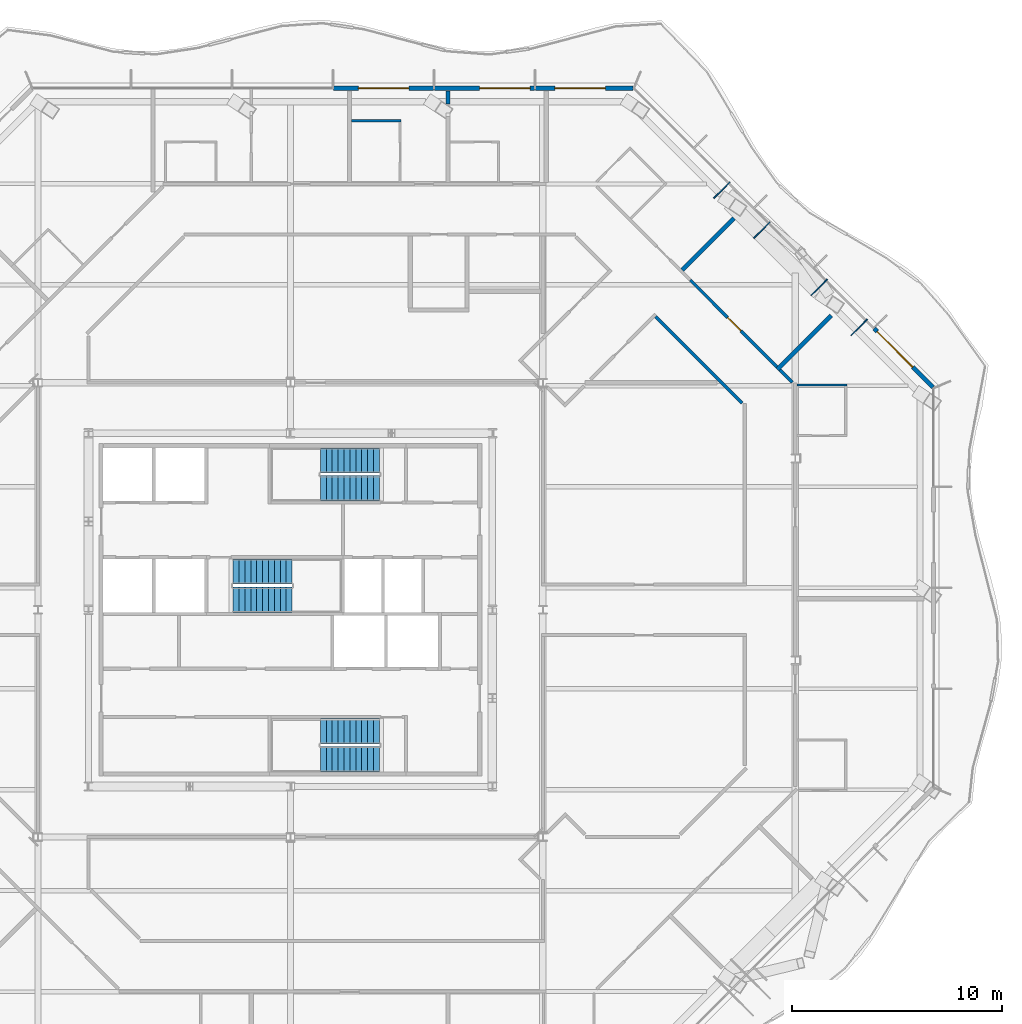
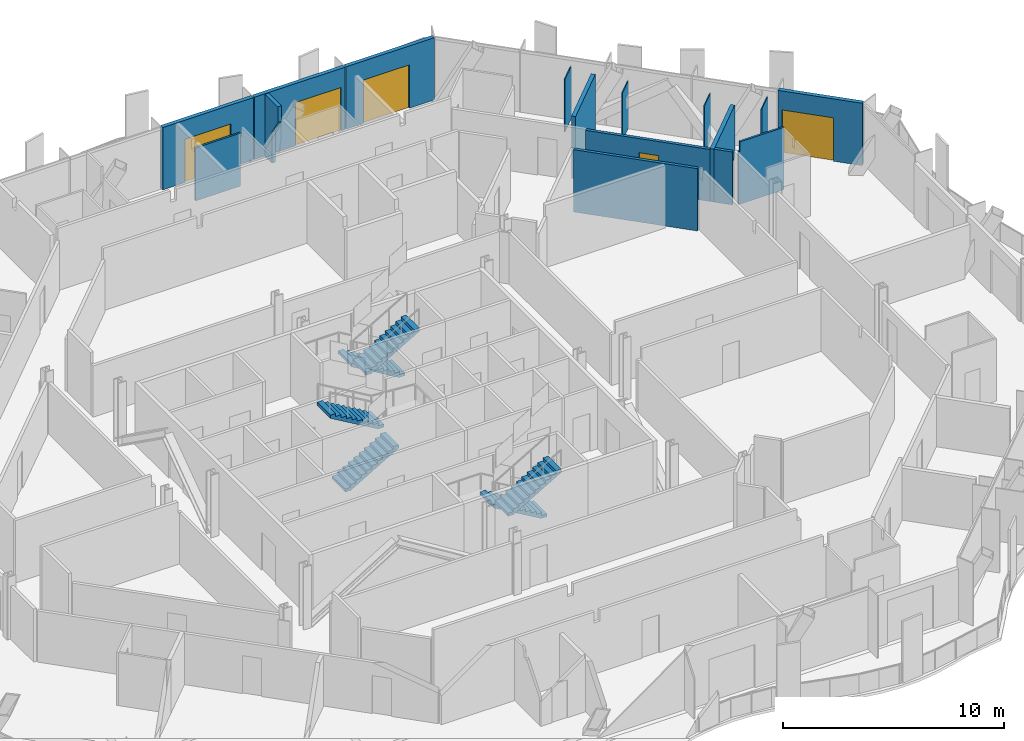
# One storey, part 13 of 21: 16 walls, 6 stair flights, 5 doors, 5 openings, 3 elements without a shape of their own.
"""IFC4 building model written with IfcOpenShell, lengths in metres."""

import ifcopenshell
import ifcopenshell.guid

model = None  # the IFC model being written
_history = None  # IfcOwnerHistory: only IFC2X3 demands one
_inside = {}  # id of a spatial element -> (the spatial element, [elements in it])
_under = {}  # id of a project, library or spatial element -> (it, [spatial elements below it])
_declared = {}  # id of a project -> (the project, [libraries it declares])
_typed = {}  # id of a type object -> (the type object, [elements of that type])
_made_of = {}  # id of a material, layer set ... -> (it, [elements and type objects made of it])


def new_model(schema):
    """Start an empty IFC model of exactly this schema.

    Asked for "IFC4X3", IfcOpenShell would pick the latest addendum, in which some entities
    have other attributes; the version numbers below select the first issue.
    IFC2X3 requires an IfcOwnerHistory on every rooted entity: one is made here for all.
    """
    global model, _history
    if schema == "IFC4X3":
        model = ifcopenshell.file(schema_version=(4, 3, 0, 0))
    else:
        model = ifcopenshell.file(schema=schema)
    _inside.clear()
    _under.clear()
    _declared.clear()
    _typed.clear()
    _made_of.clear()
    _history = None
    if model.schema == "IFC2X3":
        org = make("IfcOrganization", Name="unknown")
        user = make(
            "IfcPersonAndOrganization",
            ThePerson=make("IfcPerson", FamilyName="unknown"),
            TheOrganization=org,
        )
        app = make(
            "IfcApplication",
            ApplicationDeveloper=org,
            Version="unknown",
            ApplicationFullName="unknown",
            ApplicationIdentifier="unknown",
        )
        _history = make(
            "IfcOwnerHistory",
            OwningUser=user,
            OwningApplication=app,
            ChangeAction="ADDED",
            CreationDate=0,
        )
    return model


def make(cls, **values):
    """One entity of the class cls with the attributes given. An attribute that is None is left unset."""
    return model.create_entity(
        cls, **{name: value for name, value in values.items() if value is not None}
    )


def rooted(cls, **values):
    """An entity with a GlobalId (a new one), such as an element, a storey or a relation."""
    return make(cls, GlobalId=ifcopenshell.guid.new(), OwnerHistory=_history, **values)


def si_unit(unit_type, name, prefix=None):
    """IfcSIUnit, for example si_unit("LENGTHUNIT", "METRE", prefix="MILLI")."""
    return make("IfcSIUnit", UnitType=unit_type, Prefix=prefix, Name=name)


def assignment(units):
    """IfcUnitAssignment: the units of a project."""
    return None if units is None else make("IfcUnitAssignment", Units=units)


def point(xyz):
    """IfcCartesianPoint."""
    return None if xyz is None else make("IfcCartesianPoint", Coordinates=xyz)


def direction(xyz):
    """IfcDirection."""
    return None if xyz is None else make("IfcDirection", DirectionRatios=xyz)


def frame(location, z_axis=None, x_axis=None):
    """IfcAxis2Placement3D, a coordinate frame: its origin and axes. An axis left out is left unset."""
    return make(
        "IfcAxis2Placement3D",
        Location=point(location),
        Axis=direction(z_axis),
        RefDirection=direction(x_axis),
    )


def frame_2d(location, x_axis=None):
    """IfcAxis2Placement2D, a coordinate frame in the plane: its origin and x axis."""
    return make(
        "IfcAxis2Placement2D", Location=point(location), RefDirection=direction(x_axis)
    )


def origin():
    """The frame at (0, 0, 0) with its axes left unset."""
    return frame((0.0, 0.0, 0.0))


def place(relative_to, where):
    """IfcLocalPlacement: puts the frame where relative to a parent placement (None: the world)."""
    return make(
        "IfcLocalPlacement", PlacementRelTo=relative_to, RelativePlacement=where
    )


def context(
    kind, dimensions, precision=None, world=None, true_north=None, identifier=None
):
    """IfcGeometricRepresentationContext, for example the 3D "Model" context."""
    return make(
        "IfcGeometricRepresentationContext",
        ContextIdentifier=identifier,
        ContextType=kind,
        CoordinateSpaceDimension=dimensions,
        Precision=precision,
        WorldCoordinateSystem=world,
        TrueNorth=true_north,
    )


def subcontext(parent, identifier, kind, view, scale=None):
    """IfcGeometricRepresentationSubContext, for example "Body" below "Model"."""
    return make(
        "IfcGeometricRepresentationSubContext",
        ContextIdentifier=identifier,
        ContextType=kind,
        ParentContext=parent,
        TargetScale=scale,
        TargetView=view,
    )


def project(units=None, contexts=None):
    """IfcProject with its units and contexts."""
    return rooted(
        "IfcProject",
        Name="project",
        RepresentationContexts=contexts,
        UnitsInContext=assignment(units),
    )


def spatial(cls, under=None, at=None, **own):
    """A site, building, storey or space (cls), placed at a placement, below another one or the project."""
    s = rooted(cls, ObjectPlacement=at, **own)
    if under is not None:
        _under.setdefault(under.id(), (under, []))[1].append(s)
    return s


def polyline(points):
    """IfcPolyline through the points."""
    return make("IfcPolyline", Points=[point(p) for p in points])


def profile(cls, at=None, kind="AREA", **sizes):
    """A parametric profile (cls). Its sizes go by their IFC names, for example OverallWidth=200.0."""
    return make(cls, ProfileType=kind, Position=at, **sizes)


def rectangle(**sizes):
    """IfcRectangleProfileDef."""
    return profile("IfcRectangleProfileDef", **sizes)


def outline(outer, holes=None, kind="AREA"):
    """IfcArbitraryClosedProfileDef: a profile drawn as a closed curve; with holes, ...WithVoids."""
    if holes is None:
        return make("IfcArbitraryClosedProfileDef", ProfileType=kind, OuterCurve=outer)
    return make(
        "IfcArbitraryProfileDefWithVoids",
        ProfileType=kind,
        OuterCurve=outer,
        InnerCurves=holes,
    )


def extrude(swept, where, along, depth):
    """IfcExtrudedAreaSolid: the profile swept, set in the frame where, extruded along a direction by depth."""
    return make(
        "IfcExtrudedAreaSolid",
        SweptArea=swept,
        Position=where,
        ExtrudedDirection=direction(along),
        Depth=depth,
    )


def shape(context_of_items, identifier, shape_type, items):
    """IfcShapeRepresentation: the items that make up one representation, for example the "Body"."""
    return make(
        "IfcShapeRepresentation",
        ContextOfItems=context_of_items,
        RepresentationIdentifier=identifier,
        RepresentationType=shape_type,
        Items=items,
    )


def material(Name=None, Category=None):
    """IfcMaterial."""
    return make("IfcMaterial", Name=Name, Category=Category)


def layer(
    of_material, thickness, ventilated=None, Name=None, Category=None, Priority=None
):
    """IfcMaterialLayer: one layer of a wall or slab, of a material (None: an air gap)."""
    return make(
        "IfcMaterialLayer",
        Material=of_material,
        LayerThickness=thickness,
        IsVentilated=ventilated,
        Name=Name,
        Category=Category,
        Priority=Priority,
    )


def layer_set(layers, Name=None):
    """IfcMaterialLayerSet."""
    return make("IfcMaterialLayerSet", MaterialLayers=layers, LayerSetName=Name)


def made_of(thing, what):
    """Note that an element or type object is made of a material, layer set ...; save() writes the relation."""
    if what is not None:
        _made_of.setdefault(what.id(), (what, []))[1].append(thing)
    return thing


def type_object(cls, material=None, **own):
    """A type object (cls), such as IfcWallType, which elements share."""
    return made_of(rooted(cls, **own), material)


def element(
    cls,
    number,
    at=None,
    inside=None,
    cuts=None,
    type_object=None,
    material=None,
    context=None,
    identifier="Body",
    shape_type=None,
    held_by="IfcProductDefinitionShape",
    body=None,
    shapes=None,
    **own,
):
    """One element of the class cls, such as IfcWall. Its Tag is "e" and its number.

    at: its placement. inside: the storey or other place that contains it. cuts: it is an
    opening in that element (IfcRelVoidsElement). A single representation is given by context,
    identifier, shape_type and body (its items); several are given by shapes. held_by: the class
    of the entity that holds the representations. save() writes the other relations.
    """
    e = rooted(cls, Tag="e%d" % number, ObjectPlacement=at, **own)
    if body is not None:
        shapes = [shape(context, identifier, shape_type, body)]
    if shapes is not None:
        e.Representation = make(held_by, Representations=shapes)
    if inside is not None:
        _inside.setdefault(inside.id(), (inside, []))[1].append(e)
    if cuts is not None:
        rooted(
            "IfcRelVoidsElement", RelatingBuildingElement=cuts, RelatedOpeningElement=e
        )
    if type_object is not None:
        _typed.setdefault(type_object.id(), (type_object, []))[1].append(e)
    return made_of(e, material)


def fill(opening, filler):
    """IfcRelFillsElement: the door or window that sits in an opening."""
    return rooted(
        "IfcRelFillsElement",
        RelatingOpeningElement=opening,
        RelatedBuildingElement=filler,
    )


def aggregate(whole, parts):
    """IfcRelAggregates: a whole, such as a stair, and the parts it consists of."""
    return rooted("IfcRelAggregates", RelatingObject=whole, RelatedObjects=parts)


def save(model, path):
    """Write the relations noted so far, then the file.

    IfcRelAggregates (storeys below a building ...), IfcRelContainedInSpatialStructure (elements
    in a storey), IfcRelDefinesByType, IfcRelAssociatesMaterial and IfcRelDeclares: one each for
    every whole, place, type object, material and project.
    """
    for whole, parts in _under.values():
        aggregate(whole, parts)
    for where, things in _inside.values():
        rooted(
            "IfcRelContainedInSpatialStructure",
            RelatedElements=things,
            RelatingStructure=where,
        )
    for kind, things in _typed.values():
        rooted("IfcRelDefinesByType", RelatedObjects=things, RelatingType=kind)
    for what, things in _made_of.values():
        rooted("IfcRelAssociatesMaterial", RelatedObjects=things, RelatingMaterial=what)
    for by, libraries in _declared.values():
        rooted("IfcRelDeclares", RelatingContext=by, RelatedDefinitions=libraries)
    model.write(path)


model = new_model("IFC4")

# Units and contexts
model_context = context("Model", 3, precision=1e-05, world=origin(), true_north=direction((0.0, 1.0)))
body_context = subcontext(model_context, "Body", "Model", "MODEL_VIEW")
ifc_project = project(units=[si_unit("LENGTHUNIT", "METRE"), si_unit("AREAUNIT", "SQUARE_METRE"), si_unit("VOLUMEUNIT", "CUBIC_METRE"), si_unit("PLANEANGLEUNIT", "RADIAN"), si_unit("MASSUNIT", "GRAM", prefix="KILO")], contexts=[model_context])

# Site, building, storey
site_placement = place(None, origin())
site = spatial("IfcSite", under=ifc_project, at=site_placement, CompositionType="ELEMENT")
building_placement = place(site_placement, origin())
building = spatial("IfcBuilding", under=site, at=building_placement, Name="Cairn Pilgrim Tower", CompositionType="ELEMENT")
storey_placement = place(building_placement, frame((0.0, 0.0, 183.0)))
storey = spatial("IfcBuildingStorey", under=building, at=storey_placement, Name="L46", CompositionType="ELEMENT", Elevation=183.0)

# Wall, opening, door
ifc_material_1 = material(Name="Bronze anodised aluminium insulated sandwich panel with mineral wool fill", Category="aluminium")
ifc_layer_1 = layer(ifc_material_1, 0.199951171875)
ifc_layer_set_1 = layer_set([ifc_layer_1], Name="BRONZE INFILL FRAME WALL 200")
wall_type_1 = type_object("IfcWallType", Name="BRONZE INFILL FRAME WALL 200", PredefinedType="NOTDEFINED", material=ifc_layer_set_1)
wall_1_placement = place(storey_placement, frame((37.746826171875, 12.974609375, 0.0), z_axis=(0.0, 0.0, 1.0), x_axis=(-0.707106781187, 0.707106781187, 0.0)))
wall_1 = element("IfcWall", 1, at=wall_1_placement, inside=storey, type_object=wall_type_1, Name="Bronze infill frame wall IW-NE1", PredefinedType="NOTDEFINED", context=body_context, shape_type="SweptSolid", body=[
    extrude(rectangle(XDim=3.961669921875, YDim=0.199951171875, at=frame_2d((1.98095703125, 0.0))), origin(), (0.0, 0.0, 1.0), 3.449951171875),
])
opening_1_placement = place(wall_1_placement, frame((1.361572265625, 0.0, 0.0)))
opening_1 = element("IfcOpeningElement", 2, at=opening_1_placement, cuts=wall_1, Name="Opening 4605B2", PredefinedType="OPENING", context=body_context, shape_type="SweptSolid", body=[
    extrude(rectangle(XDim=2.39990234375, YDim=2.39990234375, at=frame_2d((1.199951171875, 1.199951171875))), frame((0.0, 0.10986328125, 0.0), z_axis=(0.0, -1.0, 0.0), x_axis=(1.0, 0.0, 0.0)), (0.0, 0.0, 1.0), 0.219970703125),
])
ifc_material_2 = material(Name="Bronze anodised aluminium frame with tinted low-E glass", Category="aluminium")
door_type_1 = type_object("IfcDoorType", Name="BALCONY SLIDING DOOR 2400x2400", OperationType="DOUBLE_DOOR_SLIDING", PredefinedType="DOOR", material=ifc_material_2)
door_1_placement = place(opening_1_placement, origin())
door_1 = element("IfcDoor", 3, at=door_1_placement, inside=storey, type_object=door_type_1, Name="Balcony sliding door 4605B2", OperationType="SINGLE_SWING_LEFT", OverallHeight=2.39990234375, OverallWidth=2.39990234375, PredefinedType="DOOR", context=body_context, shape_type="SweptSolid", body=[
    extrude(rectangle(XDim=2.39990234375, YDim=2.39990234375, at=frame_2d((1.199951171875, 1.199951171875))), frame((0.0, 0.02490234375, 0.0), z_axis=(0.0, -1.0, 0.0), x_axis=(1.0, 0.0, 0.0)), (0.0, 0.0, 1.0), 0.050048828125),
])
fill(opening_1, door_1)

wall_2_placement = place(storey_placement, frame((23.4814453125, 27.199951171875, 0.0), z_axis=(0.0, 0.0, 1.0), x_axis=(-1.0, 0.0, 0.0)))
wall_2 = element("IfcWall", 4, at=wall_2_placement, inside=storey, type_object=wall_type_1, Name="Bronze infill frame wall IW-N1", PredefinedType="NOTDEFINED", context=body_context, shape_type="SweptSolid", body=[
    extrude(rectangle(XDim=4.62646484375, YDim=0.199951171875, at=frame_2d((2.313232421875, 0.0))), origin(), (0.0, 0.0, 1.0), 3.449951171875),
])
opening_2_placement = place(wall_2_placement, frame((1.308349609375, 0.0, 0.0)))
opening_2 = element("IfcOpeningElement", 5, at=opening_2_placement, cuts=wall_2, Name="Opening 4607B", PredefinedType="OPENING", context=body_context, shape_type="SweptSolid", body=[
    extrude(rectangle(XDim=2.39990234375, YDim=2.39990234375, at=frame_2d((1.199951171875, 1.199951171875))), frame((0.0, 0.10986328125, 0.0), z_axis=(0.0, -1.0, 0.0), x_axis=(1.0, 0.0, 0.0)), (0.0, 0.0, 1.0), 0.219970703125),
])
door_2_placement = place(opening_2_placement, origin())
door_2 = element("IfcDoor", 6, at=door_2_placement, inside=storey, type_object=door_type_1, Name="Balcony sliding door 4607B", OperationType="SINGLE_SWING_LEFT", OverallHeight=2.39990234375, OverallWidth=2.39990234375, PredefinedType="DOOR", context=body_context, shape_type="SweptSolid", body=[
    extrude(rectangle(XDim=2.39990234375, YDim=2.39990234375, at=frame_2d((1.199951171875, 1.199951171875))), frame((0.0, 0.02490234375, 0.0), z_axis=(0.0, -1.0, 0.0), x_axis=(1.0, 0.0, 0.0)), (0.0, 0.0, 1.0), 0.050048828125),
])
fill(opening_2, door_2)

wall_3_placement = place(storey_placement, frame((18.794921875, 27.199951171875, 0.0), z_axis=(0.0, 0.0, 1.0), x_axis=(-1.0, 0.0, 0.0)))
wall_3 = element("IfcWall", 7, at=wall_3_placement, inside=storey, type_object=wall_type_1, Name="Bronze infill frame wall IW-N2", PredefinedType="NOTDEFINED", context=body_context, shape_type="SweptSolid", body=[
    extrude(rectangle(XDim=4.739990234375, YDim=0.199951171875, at=frame_2d((2.3701171875, 0.0))), origin(), (0.0, 0.0, 1.0), 3.449951171875),
])
opening_3_placement = place(wall_3_placement, frame((0.199951171875, 0.0, 0.0)))
opening_3 = element("IfcOpeningElement", 8, at=opening_3_placement, cuts=wall_3, Name="Opening 4608B", PredefinedType="OPENING", context=body_context, shape_type="SweptSolid", body=[
    extrude(rectangle(XDim=2.39990234375, YDim=2.39990234375, at=frame_2d((1.199951171875, 1.199951171875))), frame((0.0, 0.10986328125, 0.0), z_axis=(0.0, -1.0, 0.0), x_axis=(1.0, 0.0, 0.0)), (0.0, 0.0, 1.0), 0.219970703125),
])
door_3_placement = place(opening_3_placement, origin())
door_3 = element("IfcDoor", 9, at=door_3_placement, inside=storey, type_object=door_type_1, Name="Balcony sliding door 4608B", OperationType="SINGLE_SWING_LEFT", OverallHeight=2.39990234375, OverallWidth=2.39990234375, PredefinedType="DOOR", context=body_context, shape_type="SweptSolid", body=[
    extrude(rectangle(XDim=2.39990234375, YDim=2.39990234375, at=frame_2d((1.199951171875, 1.199951171875))), frame((0.0, 0.02490234375, 0.0), z_axis=(0.0, -1.0, 0.0), x_axis=(1.0, 0.0, 0.0)), (0.0, 0.0, 1.0), 0.050048828125),
])
fill(opening_3, door_3)

wall_4_placement = place(storey_placement, frame((13.9951171875, 27.199951171875, 0.0), z_axis=(0.0, 0.0, 1.0), x_axis=(-1.0, 0.0, 0.0)))
wall_4 = element("IfcWall", 10, at=wall_4_placement, inside=storey, type_object=wall_type_1, Name="Bronze infill frame wall IW-N3", PredefinedType="NOTDEFINED", context=body_context, shape_type="SweptSolid", body=[
    extrude(rectangle(XDim=4.740234375, YDim=0.199951171875, at=frame_2d((2.3701171875, 0.0))), origin(), (0.0, 0.0, 1.0), 3.449951171875),
])
opening_4_placement = place(wall_4_placement, frame((1.169921875, 0.0, 0.0)))
opening_4 = element("IfcOpeningElement", 11, at=opening_4_placement, cuts=wall_4, Name="Opening 4609B", PredefinedType="OPENING", context=body_context, shape_type="SweptSolid", body=[
    extrude(rectangle(XDim=2.39990234375, YDim=2.39990234375, at=frame_2d((1.199951171875, 1.199951171875))), frame((0.0, 0.10986328125, 0.0), z_axis=(0.0, -1.0, 0.0), x_axis=(1.0, 0.0, 0.0)), (0.0, 0.0, 1.0), 0.219970703125),
])
door_4_placement = place(opening_4_placement, origin())
door_4 = element("IfcDoor", 12, at=door_4_placement, inside=storey, type_object=door_type_1, Name="Balcony sliding door 4609B", OperationType="SINGLE_SWING_LEFT", OverallHeight=2.39990234375, OverallWidth=2.39990234375, PredefinedType="DOOR", context=body_context, shape_type="SweptSolid", body=[
    extrude(rectangle(XDim=2.39990234375, YDim=2.39990234375, at=frame_2d((1.199951171875, 1.199951171875))), frame((0.0, 0.02490234375, 0.0), z_axis=(0.0, -1.0, 0.0), x_axis=(1.0, 0.0, 0.0)), (0.0, 0.0, 1.0), 0.050048828125),
])
fill(opening_4, door_4)

# Walls
ifc_material_3 = material(Name="Gypsum partition")
ifc_layer_2 = layer(ifc_material_3, 0.10009765625)
ifc_layer_set_2 = layer_set([ifc_layer_2], Name="PARTITION 100 DRYWALL")
wall_type_2 = type_object("IfcWallType", Name="PARTITION 100 DRYWALL", PredefinedType="PARTITIONING", material=ifc_layer_set_2)
wall_5_placement = place(storey_placement, frame((31.27490234375, 13.0869140625, 0.0), z_axis=(0.0, 0.0, 1.0), x_axis=(1.0, 0.0, 0.0)))
element("IfcWall", 13, at=wall_5_placement, inside=storey, type_object=wall_type_2, Name="PARTITION W071", PredefinedType="PARTITIONING", context=body_context, shape_type="SweptSolid", body=[
    extrude(outline(polyline([(0.0, 0.0), (2.375, 0.0), (2.375, 3.449951171875), (0.074951171875, 3.449951171875), (0.072998046875, 2.929931640625), (0.0, 2.929931640625), (0.0, 0.0)])), frame((0.0, 0.050048828125, 0.0), z_axis=(0.0, -1.0, 0.0), x_axis=(1.0, 0.0, 0.0)), (0.0, 0.0, 1.0), 0.10009765625),
])
wall_6_placement = place(storey_placement, frame((10.112060546875, 25.64990234375, 0.0), z_axis=(0.0, 0.0, 1.0), x_axis=(1.0, 0.0, 0.0)))
element("IfcWall", 14, at=wall_6_placement, inside=storey, type_object=wall_type_2, Name="PARTITION W114", PredefinedType="PARTITIONING", context=body_context, shape_type="SweptSolid", body=[
    extrude(rectangle(XDim=2.349853515625, YDim=0.10009765625, at=frame_2d((1.1748046875, 0.0))), origin(), (0.0, 0.0, 1.0), 2.929931640625),
])
ifc_layer_3 = layer(ifc_material_3, 0.14990234375)
ifc_layer_set_3 = layer_set([ifc_layer_3], Name="PARTITION 150 DRYWALL EI 60")
wall_type_3 = type_object("IfcWallType", Name="PARTITION 150 DRYWALL EI 60", PredefinedType="PARTITIONING", material=ifc_layer_set_3)
wall_7_placement = place(storey_placement, frame((28.672119140625, 12.220947265625, 0.0), z_axis=(0.0, 0.0, 1.0), x_axis=(-0.707106781187, 0.707106781187, 0.0)))
element("IfcWall", 15, at=wall_7_placement, inside=storey, type_object=wall_type_3, Name="PARTITION W069", PredefinedType="PARTITIONING", context=body_context, shape_type="SweptSolid", body=[
    extrude(rectangle(XDim=5.8154296875, YDim=0.14990234375, at=frame_2d((2.90771484375, 0.0))), origin(), (0.0, 0.0, 1.0), 3.449951171875),
])
wall_8_placement = place(storey_placement, frame((31.072021484375, 13.21484375, 0.0), z_axis=(0.0, 0.0, 1.0), x_axis=(-0.707536851081, 0.70667644956, 0.0)))
element("IfcWall", 16, at=wall_8_placement, inside=storey, type_object=wall_type_3, Name="PARTITION W075", PredefinedType="PARTITIONING", context=body_context, shape_type="SweptSolid", body=[
    extrude(rectangle(XDim=0.851318359375, YDim=0.14990234375, at=frame_2d((0.42578125, 0.0))), origin(), (0.0, 0.0, 1.0), 2.929931640625),
])

# Wall, opening, door
wall_9_placement = place(storey_placement, frame((30.328369140625, 13.957763671875, 0.0), z_axis=(0.0, 0.0, 1.0), x_axis=(-0.707023070192, 0.707190482272, 0.0)))
wall_9 = element("IfcWall", 17, at=wall_9_placement, inside=storey, type_object=wall_type_3, Name="PARTITION W080", PredefinedType="PARTITIONING", context=body_context, shape_type="SweptSolid", body=[
    extrude(rectangle(XDim=5.833251953125, YDim=0.14990234375, at=frame_2d((2.91650390625, 0.0))), origin(), (0.0, 0.0, 1.0), 2.8798828125),
])
opening_5_placement = place(wall_9_placement, frame((2.417236328125, 0.0, 0.0)))
opening_5 = element("IfcOpeningElement", 18, at=opening_5_placement, cuts=wall_9, Name="Opening 4606", PredefinedType="OPENING", context=body_context, shape_type="SweptSolid", body=[
    extrude(rectangle(XDim=0.89990234375, YDim=2.10009765625, at=frame_2d((0.449951171875, 1.050048828125))), frame((0.0, 0.0849609375, 0.0), z_axis=(0.0, -1.0, 0.0), x_axis=(1.0, 0.0, 0.0)), (0.0, 0.0, 1.0), 0.169921875),
])
ifc_material_4 = material(Name="Timber door leaf", Category="wood")
door_type_2 = type_object("IfcDoorType", Name="SERVICE DOOR 900x2100 FD30S", OperationType="NOTDEFINED", PredefinedType="DOOR", material=ifc_material_4)
door_5_placement = place(opening_5_placement, frame((0.89990234375, 0.0, 0.0), z_axis=(0.0, 0.0, 1.0), x_axis=(-1.0, 0.0, 0.0)))
door_5 = element("IfcDoor", 19, at=door_5_placement, inside=storey, type_object=door_type_2, Name="DOOR 4606", OperationType="SINGLE_SWING_RIGHT", OverallHeight=2.10009765625, OverallWidth=0.89990234375, PredefinedType="DOOR", context=body_context, shape_type="SweptSolid", body=[
    extrude(rectangle(XDim=0.89990234375, YDim=2.10009765625, at=frame_2d((0.449951171875, 1.050048828125))), frame((0.0, 0.02490234375, 0.0), z_axis=(0.0, -1.0, 0.0), x_axis=(1.0, 0.0, 0.0)), (0.0, 0.0, 1.0), 0.050048828125),
])
fill(opening_5, door_5)

# Walls
ifc_layer_4 = layer(ifc_material_3, 0.050048828125)
ifc_layer_set_4 = layer_set([ifc_layer_4], Name="PARTITION 50 DRYWALL EI 60")
wall_type_4 = type_object("IfcWallType", Name="PARTITION 50 DRYWALL EI 60", PredefinedType="PARTITIONING", material=ifc_layer_set_4)
wall_10_placement = place(storey_placement, frame((33.852783203125, 15.43994140625, 0.0), z_axis=(0.0, 0.0, 1.0), x_axis=(0.706995012157, 0.707218532552, 0.0)))
element("IfcWall", 20, at=wall_10_placement, inside=storey, type_object=wall_type_4, Name="COLUMN CASING WC26", PredefinedType="PARTITIONING", context=body_context, shape_type="SweptSolid", body=[
    extrude(rectangle(XDim=1.09228515625, YDim=0.050048828125, at=frame_2d((0.546142578125, 0.0))), origin(), (0.0, 0.0, 1.0), 2.929931640625),
])
wall_11_placement = place(storey_placement, frame((31.951416015625, 17.3408203125, 0.0), z_axis=(0.0, 0.0, 1.0), x_axis=(0.707106781187, 0.707106781187, 0.0)))
element("IfcWall", 21, at=wall_11_placement, inside=storey, type_object=wall_type_4, Name="COLUMN CASING WC27", PredefinedType="PARTITIONING", context=body_context, shape_type="SweptSolid", body=[
    extrude(rectangle(XDim=1.092041015625, YDim=0.050048828125, at=frame_2d((0.5458984375, 0.0))), origin(), (0.0, 0.0, 1.0), 2.6298828125),
])
wall_12_placement = place(storey_placement, frame((27.3271484375, 21.965087890625, 0.0), z_axis=(0.0, 0.0, 1.0), x_axis=(0.707106781187, 0.707106781187, 0.0)))
element("IfcWall", 22, at=wall_12_placement, inside=storey, type_object=wall_type_4, Name="COLUMN CASING WC28", PredefinedType="PARTITIONING", context=body_context, shape_type="SweptSolid", body=[
    extrude(rectangle(XDim=1.092529296875, YDim=0.050048828125, at=frame_2d((0.54638671875, 0.0))), origin(), (0.0, 0.0, 1.0), 2.929931640625),
])
wall_13_placement = place(storey_placement, frame((29.228271484375, 20.06396484375, 0.0), z_axis=(0.0, 0.0, 1.0), x_axis=(0.707106781187, 0.707106781187, 0.0)))
element("IfcWall", 23, at=wall_13_placement, inside=storey, type_object=wall_type_4, Name="COLUMN CASING WC29", PredefinedType="PARTITIONING", context=body_context, shape_type="SweptSolid", body=[
    extrude(rectangle(XDim=1.092529296875, YDim=0.050048828125, at=frame_2d((0.54638671875, 0.0))), origin(), (0.0, 0.0, 1.0), 2.6298828125),
])
ifc_layer_5 = layer(ifc_material_3, 0.199951171875)
ifc_layer_set_5 = layer_set([ifc_layer_5], Name="SHAFT WALL 200 GYPSUM EI 60")
wall_type_5 = type_object("IfcWallType", Name="SHAFT WALL 200 GYPSUM EI 60", PredefinedType="PARTITIONING", material=ifc_layer_set_5)
wall_14_placement = place(storey_placement, frame((30.345947265625, 13.833984375, 0.0), z_axis=(0.0, 0.0, 1.0), x_axis=(0.707005474073, 0.707208073788, 0.0)))
element("IfcWall", 24, at=wall_14_placement, inside=storey, type_object=wall_type_5, Name="PARTITION W079", PredefinedType="PARTITIONING", context=body_context, shape_type="SweptSolid", body=[
    extrude(rectangle(XDim=3.615234375, YDim=0.199951171875, at=frame_2d((1.8076171875, 0.0))), origin(), (0.0, 0.0, 1.0), 2.929931640625),
])
wall_15_placement = place(storey_placement, frame((25.827880859375, 18.56494140625, 0.0), z_axis=(0.0, 0.0, 1.0), x_axis=(0.707106781187, 0.707106781187, 0.0)))
element("IfcWall", 25, at=wall_15_placement, inside=storey, type_object=wall_type_5, Name="PARTITION W093", PredefinedType="PARTITIONING", context=body_context, shape_type="SweptSolid", body=[
    extrude(rectangle(XDim=3.46435546875, YDim=0.199951171875, at=frame_2d((1.732177734375, 0.0))), origin(), (0.0, 0.0, 1.0), 3.449951171875),
])
wall_16_placement = place(storey_placement, frame((14.68798828125, 25.897216796875, 0.0), z_axis=(0.0, 0.0, 1.0), x_axis=(0.0, 1.0, 0.0)))
element("IfcWall", 26, at=wall_16_placement, inside=storey, type_object=wall_type_5, Name="PARTITION W116", PredefinedType="PARTITIONING", context=body_context, shape_type="SweptSolid", body=[
    extrude(outline(polyline([(0.555419921875, 0.0), (1.1728515625, 0.0), (1.1728515625, 0.862548828125), (1.1728515625, 1.72509765625), (1.1728515625, 2.58740234375), (1.1728515625, 3.449951171875), (0.0, 3.449951171875), (0.0, 2.58740234375), (0.543701171875, 1.72509765625), (0.555419921875, 0.862548828125), (0.555419921875, 0.0)])), frame((0.0, 0.10009765625, 0.0), z_axis=(0.0, -1.0, 0.0), x_axis=(1.0, 0.0, 0.0)), (0.0, 0.0, 1.0), 0.199951171875),
])

# Stair, stair flights
ifc_material_5 = material(Name="Concrete C32/40", Category="concrete")
stair_type = type_object("IfcStairType", Name="EXIT STAIR 1200", PredefinedType="HALF_TURN_STAIR", material=ifc_material_5)
stair_1_placement = place(storey_placement, origin())
stair_1 = element("IfcStair", 27, at=stair_1_placement, inside=storey, type_object=stair_type, Name="L46 Exit Stair A", PredefinedType="HALF_TURN_STAIR")
stair_flight_type = type_object("IfcStairFlightType", Name="STAIR FLIGHT 1200", PredefinedType="STRAIGHT", material=ifc_material_5)
stair_flight_1_placement = place(storey_placement, frame((11.425048828125, -3.375, 0.0), z_axis=(0.0, 0.0, 1.0), x_axis=(-1.0, 0.0, 0.0)))
stair_flight_1 = element("IfcStairFlight", 28, at=stair_flight_1_placement, type_object=stair_flight_type, Name="ST-A flight 1", NumberOfRisers=11, NumberOfTreads=10, PredefinedType="STRAIGHT", RiserHeight=0.163636364, TreadLength=0.28, context=body_context, shape_type="SweptSolid", body=[
    extrude(outline(polyline([(0.0, 0.0), (0.0, 0.16357421875), (0.280029296875, 0.16357421875), (0.280029296875, 0.327392578125), (0.56005859375, 0.327392578125), (0.56005859375, 0.490966796875), (0.840087890625, 0.490966796875), (0.840087890625, 0.654541015625), (1.1201171875, 0.654541015625), (1.1201171875, 0.818115234375), (1.39990234375, 0.818115234375), (1.39990234375, 0.98193359375), (1.679931640625, 0.98193359375), (1.679931640625, 1.1455078125), (1.9599609375, 1.1455078125), (1.9599609375, 1.30908203125), (2.239990234375, 1.30908203125), (2.239990234375, 1.47265625), (2.52001953125, 1.47265625), (2.52001953125, 1.636474609375), (2.800048828125, 1.636474609375), (2.800048828125, 1.800048828125), (2.800048828125, 1.462646484375), (0.297119140625, 0.0), (0.0, 0.0)])), frame((0.0, 0.60009765625, 0.0), z_axis=(0.0, -1.0, 0.0), x_axis=(1.0, 0.0, 0.0)), (0.0, 0.0, 1.0), 1.199951171875),
])
stair_flight_2_placement = place(storey_placement, frame((8.625, -4.699951171875, 1.800048828125), z_axis=(0.0, 0.0, 1.0), x_axis=(1.0, 0.0, 0.0)))
stair_flight_2 = element("IfcStairFlight", 29, at=stair_flight_2_placement, type_object=stair_flight_type, Name="ST-A flight 2", NumberOfRisers=11, NumberOfTreads=10, PredefinedType="STRAIGHT", RiserHeight=0.163636364, TreadLength=0.28, context=body_context, shape_type="SweptSolid", body=[
    extrude(outline(polyline([(0.0, 0.0), (0.0, 0.16357421875), (0.280029296875, 0.16357421875), (0.280029296875, 0.327392578125), (0.56005859375, 0.327392578125), (0.56005859375, 0.490966796875), (0.840087890625, 0.490966796875), (0.840087890625, 0.654541015625), (1.1201171875, 0.654541015625), (1.1201171875, 0.818115234375), (1.39990234375, 0.818115234375), (1.39990234375, 0.98193359375), (1.679931640625, 0.98193359375), (1.679931640625, 1.1455078125), (1.9599609375, 1.1455078125), (1.9599609375, 1.30908203125), (2.239990234375, 1.30908203125), (2.239990234375, 1.47265625), (2.52001953125, 1.47265625), (2.52001953125, 1.636474609375), (2.800048828125, 1.636474609375), (2.800048828125, 1.800048828125), (2.800048828125, 1.462646484375), (0.297119140625, 0.0), (0.0, 0.0)])), frame((0.0, 0.60009765625, 0.0), z_axis=(0.0, -1.0, 0.0), x_axis=(1.0, 0.0, 0.0)), (0.0, 0.0, 1.0), 1.199951171875),
])
aggregate(stair_1, [stair_flight_1, stair_flight_2])

stair_2_placement = place(storey_placement, origin())
stair_2 = element("IfcStair", 30, at=stair_2_placement, inside=storey, type_object=stair_type, Name="L46 Exit Stair B", PredefinedType="HALF_TURN_STAIR")
stair_flight_3_placement = place(storey_placement, frame((4.47509765625, 2.875, 0.0), z_axis=(0.0, 0.0, 1.0), x_axis=(1.0, 0.0, 0.0)))
stair_flight_3 = element("IfcStairFlight", 31, at=stair_flight_3_placement, type_object=stair_flight_type, Name="ST-B flight 1", NumberOfRisers=11, NumberOfTreads=10, PredefinedType="STRAIGHT", RiserHeight=0.163636364, TreadLength=0.28, context=body_context, shape_type="SweptSolid", body=[
    extrude(outline(polyline([(0.0, 0.0), (0.0, 0.16357421875), (0.280029296875, 0.16357421875), (0.280029296875, 0.327392578125), (0.56005859375, 0.327392578125), (0.56005859375, 0.490966796875), (0.840087890625, 0.490966796875), (0.840087890625, 0.654541015625), (1.1201171875, 0.654541015625), (1.1201171875, 0.818115234375), (1.39990234375, 0.818115234375), (1.39990234375, 0.98193359375), (1.679931640625, 0.98193359375), (1.679931640625, 1.1455078125), (1.9599609375, 1.1455078125), (1.9599609375, 1.30908203125), (2.239990234375, 1.30908203125), (2.239990234375, 1.47265625), (2.52001953125, 1.47265625), (2.52001953125, 1.636474609375), (2.800048828125, 1.636474609375), (2.800048828125, 1.800048828125), (2.800048828125, 1.462646484375), (0.297119140625, 0.0), (0.0, 0.0)])), frame((0.0, 0.60009765625, 0.0), z_axis=(0.0, -1.0, 0.0), x_axis=(1.0, 0.0, 0.0)), (0.0, 0.0, 1.0), 1.199951171875),
])
stair_flight_4_placement = place(storey_placement, frame((7.27490234375, 4.22509765625, 1.800048828125), z_axis=(0.0, 0.0, 1.0), x_axis=(-1.0, 0.0, 0.0)))
stair_flight_4 = element("IfcStairFlight", 32, at=stair_flight_4_placement, type_object=stair_flight_type, Name="ST-B flight 2", NumberOfRisers=11, NumberOfTreads=10, PredefinedType="STRAIGHT", RiserHeight=0.163636364, TreadLength=0.28, context=body_context, shape_type="SweptSolid", body=[
    extrude(outline(polyline([(0.0, 0.0), (0.0, 0.16357421875), (0.280029296875, 0.16357421875), (0.280029296875, 0.327392578125), (0.56005859375, 0.327392578125), (0.56005859375, 0.490966796875), (0.840087890625, 0.490966796875), (0.840087890625, 0.654541015625), (1.1201171875, 0.654541015625), (1.1201171875, 0.818115234375), (1.39990234375, 0.818115234375), (1.39990234375, 0.98193359375), (1.679931640625, 0.98193359375), (1.679931640625, 1.1455078125), (1.9599609375, 1.1455078125), (1.9599609375, 1.30908203125), (2.239990234375, 1.30908203125), (2.239990234375, 1.47265625), (2.52001953125, 1.47265625), (2.52001953125, 1.636474609375), (2.800048828125, 1.636474609375), (2.800048828125, 1.800048828125), (2.800048828125, 1.462646484375), (0.297119140625, 0.0), (0.0, 0.0)])), frame((0.0, 0.60009765625, 0.0), z_axis=(0.0, -1.0, 0.0), x_axis=(1.0, 0.0, 0.0)), (0.0, 0.0, 1.0), 1.199951171875),
])
aggregate(stair_2, [stair_flight_3, stair_flight_4])

stair_3_placement = place(storey_placement, origin())
stair_3 = element("IfcStair", 33, at=stair_3_placement, inside=storey, type_object=stair_type, Name="L46 Exit Stair C", PredefinedType="HALF_TURN_STAIR")
stair_flight_5_placement = place(storey_placement, frame((11.425048828125, 9.5, 0.0), z_axis=(0.0, 0.0, 1.0), x_axis=(-1.0, 0.0, 0.0)))
stair_flight_5 = element("IfcStairFlight", 34, at=stair_flight_5_placement, type_object=stair_flight_type, Name="ST-C flight 1", NumberOfRisers=11, NumberOfTreads=10, PredefinedType="STRAIGHT", RiserHeight=0.163636364, TreadLength=0.28, context=body_context, shape_type="SweptSolid", body=[
    extrude(outline(polyline([(0.0, 0.0), (0.0, 0.16357421875), (0.280029296875, 0.16357421875), (0.280029296875, 0.327392578125), (0.56005859375, 0.327392578125), (0.56005859375, 0.490966796875), (0.840087890625, 0.490966796875), (0.840087890625, 0.654541015625), (1.1201171875, 0.654541015625), (1.1201171875, 0.818115234375), (1.39990234375, 0.818115234375), (1.39990234375, 0.98193359375), (1.679931640625, 0.98193359375), (1.679931640625, 1.1455078125), (1.9599609375, 1.1455078125), (1.9599609375, 1.30908203125), (2.239990234375, 1.30908203125), (2.239990234375, 1.47265625), (2.52001953125, 1.47265625), (2.52001953125, 1.636474609375), (2.800048828125, 1.636474609375), (2.800048828125, 1.800048828125), (2.800048828125, 1.462646484375), (0.297119140625, 0.0), (0.0, 0.0)])), frame((0.0, 0.60009765625, 0.0), z_axis=(0.0, -1.0, 0.0), x_axis=(1.0, 0.0, 0.0)), (0.0, 0.0, 1.0), 1.199951171875),
])
stair_flight_6_placement = place(storey_placement, frame((8.625, 8.175048828125, 1.800048828125), z_axis=(0.0, 0.0, 1.0), x_axis=(1.0, 0.0, 0.0)))
stair_flight_6 = element("IfcStairFlight", 35, at=stair_flight_6_placement, type_object=stair_flight_type, Name="ST-C flight 2", NumberOfRisers=11, NumberOfTreads=10, PredefinedType="STRAIGHT", RiserHeight=0.163636364, TreadLength=0.28, context=body_context, shape_type="SweptSolid", body=[
    extrude(outline(polyline([(0.0, 0.0), (0.0, 0.16357421875), (0.280029296875, 0.16357421875), (0.280029296875, 0.327392578125), (0.56005859375, 0.327392578125), (0.56005859375, 0.490966796875), (0.840087890625, 0.490966796875), (0.840087890625, 0.654541015625), (1.1201171875, 0.654541015625), (1.1201171875, 0.818115234375), (1.39990234375, 0.818115234375), (1.39990234375, 0.98193359375), (1.679931640625, 0.98193359375), (1.679931640625, 1.1455078125), (1.9599609375, 1.1455078125), (1.9599609375, 1.30908203125), (2.239990234375, 1.30908203125), (2.239990234375, 1.47265625), (2.52001953125, 1.47265625), (2.52001953125, 1.636474609375), (2.800048828125, 1.636474609375), (2.800048828125, 1.800048828125), (2.800048828125, 1.462646484375), (0.297119140625, 0.0), (0.0, 0.0)])), frame((0.0, 0.60009765625, 0.0), z_axis=(0.0, -1.0, 0.0), x_axis=(1.0, 0.0, 0.0)), (0.0, 0.0, 1.0), 1.199951171875),
])
aggregate(stair_3, [stair_flight_5, stair_flight_6])

save(model, "model.ifc")
